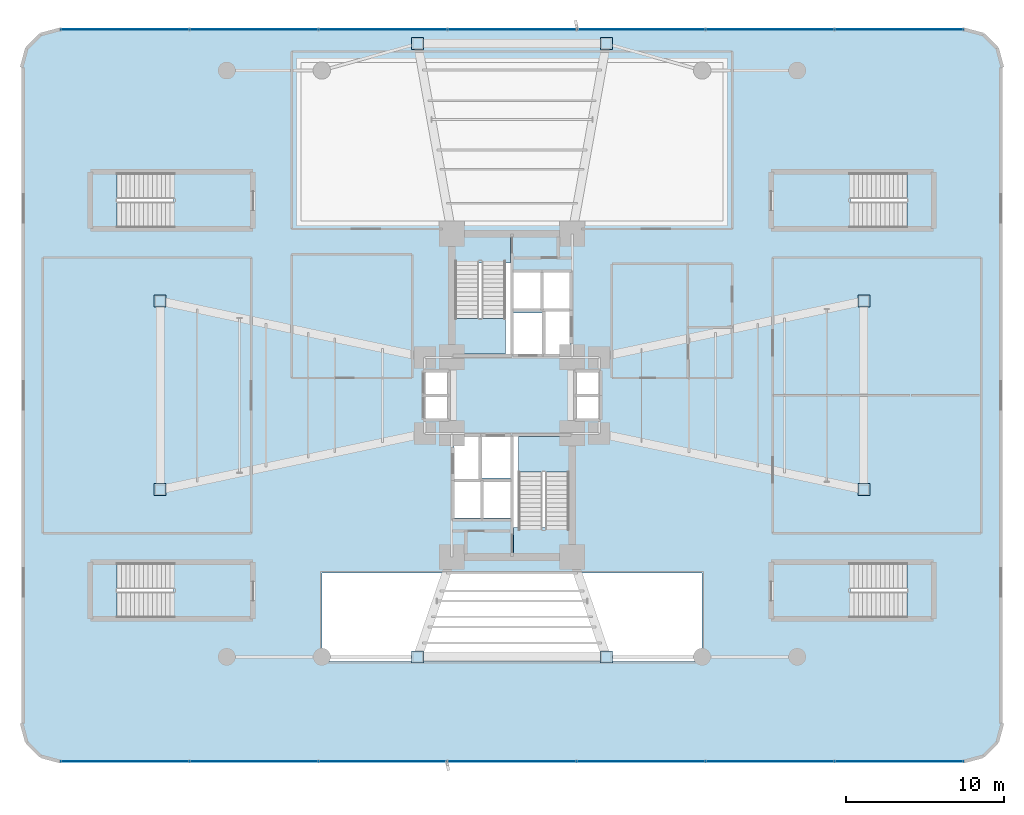
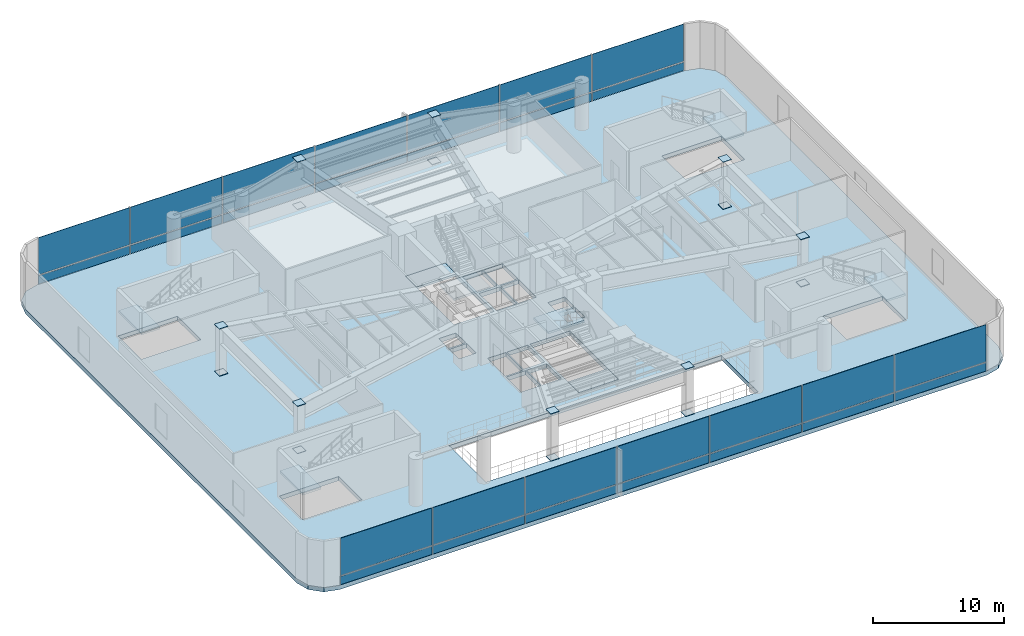
# One storey, part 12 of 22: 44 plates, 9 slabs, 8 elements without a shape of their own.
"""IFC4 building model written with IfcOpenShell, lengths in metres."""

from ifc_helpers import new_model, si_unit, direction, frame, origin, origin_2d, place, context, subcontext, project, spatial, polyline, rectangle, outline, extrude, source, transform, mapped, material, layer, layer_set, type_object, element, aggregate, save


model = new_model("IFC4")

# Units and contexts
model_context = context("Model", 3, precision=1e-05, world=origin(), true_north=direction((0.0, 1.0)))
body_context = subcontext(model_context, "Body", "Model", "MODEL_VIEW")
ifc_project = project(units=[si_unit("LENGTHUNIT", "METRE"), si_unit("AREAUNIT", "SQUARE_METRE"), si_unit("VOLUMEUNIT", "CUBIC_METRE"), si_unit("PLANEANGLEUNIT", "RADIAN"), si_unit("MASSUNIT", "GRAM", prefix="KILO")], contexts=[model_context])

# Site, building, storey
site_placement = place(None, origin())
site = spatial("IfcSite", under=ifc_project, at=site_placement, CompositionType="ELEMENT")
building_placement = place(site_placement, origin())
building = spatial("IfcBuilding", under=site, at=building_placement, Name="Sahyath Konkavel Grand Hotel", CompositionType="ELEMENT")
storey_placement = place(building_placement, frame((0.0, 0.0, 9.300048828125)))
storey = spatial("IfcBuildingStorey", under=building, at=storey_placement, Name="L02", CompositionType="ELEMENT", Elevation=9.300048828125)

# Slab
ifc_material_1 = material(Name="Concrete C50/60", Category="concrete")
ifc_layer_1 = layer(ifc_material_1, 0.39990234375)
ifc_layer_set_1 = layer_set([ifc_layer_1], Name="Concrete C50/60")
slab_type_1 = type_object("IfcSlabType", Name="SLB-400", PredefinedType="FLOOR", material=ifc_layer_set_1)
slab_1_placement = place(storey_placement, frame((0.0, 0.0, -0.400146484375)))
element("IfcSlab", 1, at=slab_1_placement, inside=storey, type_object=slab_type_1, Name="L02 Structural Floor Slab", PredefinedType="FLOOR", context=body_context, shape_type="SweptSolid", body=[
    extrude(outline(polyline([(28.541015625, -23.092041015625), (29.740966796875, -22.7705078125), (30.619384765625, -21.89208984375), (30.94091796875, -20.69189453125), (30.94091796875, 20.69189453125), (30.619384765625, 21.89208984375), (29.740966796875, 22.7705078125), (28.541015625, 23.092041015625), (-28.541015625, 23.092041015625), (-29.740966796875, 22.7705078125), (-30.619384765625, 21.89208984375), (-30.94091796875, 20.69189453125), (-30.94091796875, -20.69189453125), (-30.619384765625, -21.89208984375), (-29.740966796875, -22.7705078125), (-28.541015625, -23.092041015625), (28.541015625, -23.092041015625)]), holes=[polyline([(-3.6201171875, 2.580078125), (-0.10009765625, 2.580078125), (-0.10009765625, 10.02001953125), (-3.6201171875, 10.02001953125), (-3.6201171875, 2.580078125)]), polyline([(0.10009765625, -10.02001953125), (3.6201171875, -10.02001953125), (3.6201171875, -2.580078125), (0.10009765625, -2.580078125), (0.10009765625, -10.02001953125)]), polyline([(-26.60009765625, 10.52001953125), (-21.35009765625, 10.52001953125), (-21.35009765625, 14.10009765625), (-26.60009765625, 14.10009765625), (-26.60009765625, 10.52001953125)]), polyline([(21.35009765625, 10.52001953125), (26.60009765625, 10.52001953125), (26.60009765625, 14.10009765625), (21.35009765625, 14.10009765625), (21.35009765625, 10.52001953125)]), polyline([(-26.60009765625, -14.10009765625), (-21.35009765625, -14.10009765625), (-21.35009765625, -10.52001953125), (-26.60009765625, -10.52001953125), (-26.60009765625, -14.10009765625)]), polyline([(21.35009765625, -14.10009765625), (26.60009765625, -14.10009765625), (26.60009765625, -10.52001953125), (21.35009765625, -10.52001953125), (21.35009765625, -14.10009765625)]), polyline([(-12.0, -16.800048828125), (12.0, -16.800048828125), (12.0, -11.199951171875), (-12.0, -11.199951171875), (-12.0, -16.800048828125)]), polyline([(0.10009765625, 2.60009765625), (1.949951171875, 2.60009765625), (1.949951171875, 5.199951171875), (0.10009765625, 5.199951171875), (0.10009765625, 2.60009765625)]), polyline([(-1.949951171875, -5.199951171875), (-0.10009765625, -5.199951171875), (-0.10009765625, -2.60009765625), (-1.949951171875, -2.60009765625), (-1.949951171875, -5.199951171875)]), polyline([(2.050048828125, 2.60009765625), (3.64990234375, 2.60009765625), (3.64990234375, 5.300048828125), (2.050048828125, 5.300048828125), (2.050048828125, 2.60009765625)]), polyline([(-3.64990234375, -5.300048828125), (-2.050048828125, -5.300048828125), (-2.050048828125, -2.60009765625), (-3.64990234375, -2.60009765625), (-3.64990234375, -5.300048828125)]), polyline([(0.10009765625, 5.449951171875), (1.85009765625, 5.449951171875), (1.85009765625, 7.75), (0.10009765625, 7.75), (0.10009765625, 5.449951171875)]), polyline([(1.949951171875, 5.449951171875), (3.64990234375, 5.449951171875), (3.64990234375, 7.75), (1.949951171875, 7.75), (1.949951171875, 5.449951171875)]), polyline([(-3.64990234375, -7.75), (-1.949951171875, -7.75), (-1.949951171875, -5.449951171875), (-3.64990234375, -5.449951171875), (-3.64990234375, -7.75)]), polyline([(-1.85009765625, -7.75), (-0.10009765625, -7.75), (-0.10009765625, -5.449951171875), (-1.85009765625, -5.449951171875), (-1.85009765625, -7.75)]), polyline([(4.050048828125, 0.080078125), (5.550048828125, 0.080078125), (5.550048828125, 1.5400390625), (4.050048828125, 1.5400390625), (4.050048828125, 0.080078125)]), polyline([(4.050048828125, -1.5400390625), (5.550048828125, -1.5400390625), (5.550048828125, -0.080078125), (4.050048828125, -0.080078125), (4.050048828125, -1.5400390625)]), polyline([(-5.550048828125, 0.080078125), (-4.050048828125, 0.080078125), (-4.050048828125, 1.5400390625), (-5.550048828125, 1.5400390625), (-5.550048828125, 0.080078125)]), polyline([(-5.550048828125, -1.5400390625), (-4.050048828125, -1.5400390625), (-4.050048828125, -0.080078125), (-5.550048828125, -0.080078125), (-5.550048828125, -1.5400390625)])]), origin(), (0.0, 0.0, 1.0), 0.400146484375),
])

# Stair, slab
ifc_material_2 = material(Name="Concrete C40/50", Category="concrete")
stair_type = type_object("IfcStairType", Name="STR-ST16-480", PredefinedType="HALF_TURN_STAIR", material=ifc_material_2)
stair_1_placement = place(storey_placement, origin())
stair_1 = element("IfcStair", 2, at=stair_1_placement, inside=storey, type_object=stair_type, Name="L02 North Core Smokeproof Exit Stair ST-1", PredefinedType="HALF_TURN_STAIR")
ifc_layer_2 = layer(ifc_material_2, 0.199951171875)
ifc_layer_set_2 = layer_set([ifc_layer_2], Name="Concrete C40/50")
slab_type_2 = type_object("IfcSlabType", Name="SLB-STAIR-LND", PredefinedType="LANDING", material=ifc_layer_set_2)
slab_2_placement = place(storey_placement, frame((0.0, 0.0, 2.199951171875)))
slab_2 = element("IfcSlab", 3, at=slab_2_placement, type_object=slab_type_2, Name="ST-1 landing 1", PredefinedType="LANDING", context=body_context, shape_type="SweptSolid", body=[
    extrude(outline(polyline([(-3.60009765625, 4.840087890625), (-3.60009765625, 2.60009765625), (-0.39990234375, 2.60009765625), (-0.39990234375, 4.840087890625), (-3.60009765625, 4.840087890625)])), origin(), (0.0, 0.0, 1.0), 0.199951171875),
])
aggregate(stair_1, [slab_2])

stair_2_placement = place(storey_placement, origin())
stair_2 = element("IfcStair", 4, at=stair_2_placement, inside=storey, type_object=stair_type, Name="L02 South Core Smokeproof Exit Stair ST-2", PredefinedType="HALF_TURN_STAIR")
slab_3_placement = place(storey_placement, frame((0.0, 0.0, 2.199951171875)))
slab_3 = element("IfcSlab", 5, at=slab_3_placement, type_object=slab_type_2, Name="ST-2 landing 1", PredefinedType="LANDING", context=body_context, shape_type="SweptSolid", body=[
    extrude(outline(polyline([(3.60009765625, -4.840087890625), (3.60009765625, -2.60009765625), (0.39990234375, -2.60009765625), (0.39990234375, -4.840087890625), (3.60009765625, -4.840087890625)])), origin(), (0.0, 0.0, 1.0), 0.199951171875),
])
aggregate(stair_2, [slab_3])

# Slabs
slab_4_placement = place(storey_placement, frame((0.0, 0.0, -0.199951171875)))
element("IfcSlab", 6, at=slab_4_placement, inside=storey, type_object=slab_type_2, Name="L02 Stair ST-1 Floor Landing Slab", PredefinedType="LANDING", context=body_context, shape_type="SweptSolid", body=[
    extrude(outline(polyline([(-3.6201171875, 8.35009765625), (-0.10009765625, 8.35009765625), (-0.10009765625, 10.02001953125), (-3.6201171875, 10.02001953125), (-3.6201171875, 8.35009765625)])), origin(), (0.0, 0.0, 1.0), 0.199951171875),
])
slab_5_placement = place(storey_placement, frame((0.0, 0.0, -0.199951171875)))
element("IfcSlab", 7, at=slab_5_placement, inside=storey, type_object=slab_type_2, Name="L02 Stair ST-2 Floor Landing Slab", PredefinedType="LANDING", context=body_context, shape_type="SweptSolid", body=[
    extrude(outline(polyline([(0.10009765625, -10.02001953125), (3.6201171875, -10.02001953125), (3.6201171875, -8.35009765625), (0.10009765625, -8.35009765625), (0.10009765625, -10.02001953125)])), origin(), (0.0, 0.0, 1.0), 0.199951171875),
])

# Stair, slab
stair_3_placement = place(storey_placement, origin())
stair_3 = element("IfcStair", 8, at=stair_3_placement, inside=storey, type_object=stair_type, Name="L02 Podium Protected Exit Stair ST-P1", PredefinedType="HALF_TURN_STAIR")
slab_6_placement = place(storey_placement, frame((0.0, 0.0, 2.199951171875)))
slab_6 = element("IfcSlab", 9, at=slab_6_placement, type_object=slab_type_2, Name="ST-P1 landing 1", PredefinedType="LANDING", context=body_context, shape_type="SweptSolid", body=[
    extrude(outline(polyline([(-24.929931640625, 14.0400390625), (-26.580078125, 14.0400390625), (-26.580078125, 10.580078125), (-24.929931640625, 10.580078125), (-24.929931640625, 14.0400390625)])), origin(), (0.0, 0.0, 1.0), 0.199951171875),
])
aggregate(stair_3, [slab_6])

stair_4_placement = place(storey_placement, origin())
stair_4 = element("IfcStair", 10, at=stair_4_placement, inside=storey, type_object=stair_type, Name="L02 Podium Protected Exit Stair ST-P2", PredefinedType="HALF_TURN_STAIR")
slab_7_placement = place(storey_placement, frame((0.0, 0.0, 2.199951171875)))
slab_7 = element("IfcSlab", 11, at=slab_7_placement, type_object=slab_type_2, Name="ST-P2 landing 1", PredefinedType="LANDING", context=body_context, shape_type="SweptSolid", body=[
    extrude(outline(polyline([(24.929931640625, 10.580078125), (26.580078125, 10.580078125), (26.580078125, 14.0400390625), (24.929931640625, 14.0400390625), (24.929931640625, 10.580078125)])), origin(), (0.0, 0.0, 1.0), 0.199951171875),
])
aggregate(stair_4, [slab_7])

stair_5_placement = place(storey_placement, origin())
stair_5 = element("IfcStair", 12, at=stair_5_placement, inside=storey, type_object=stair_type, Name="L02 Podium Protected Exit Stair ST-P3", PredefinedType="HALF_TURN_STAIR")
slab_8_placement = place(storey_placement, frame((0.0, 0.0, 2.199951171875)))
slab_8 = element("IfcSlab", 13, at=slab_8_placement, type_object=slab_type_2, Name="ST-P3 landing 1", PredefinedType="LANDING", context=body_context, shape_type="SweptSolid", body=[
    extrude(outline(polyline([(-24.929931640625, -10.580078125), (-26.580078125, -10.580078125), (-26.580078125, -14.0400390625), (-24.929931640625, -14.0400390625), (-24.929931640625, -10.580078125)])), origin(), (0.0, 0.0, 1.0), 0.199951171875),
])
aggregate(stair_5, [slab_8])

stair_6_placement = place(storey_placement, origin())
stair_6 = element("IfcStair", 14, at=stair_6_placement, inside=storey, type_object=stair_type, Name="L02 Podium Protected Exit Stair ST-P4", PredefinedType="HALF_TURN_STAIR")
slab_9_placement = place(storey_placement, frame((0.0, 0.0, 2.199951171875)))
slab_9 = element("IfcSlab", 15, at=slab_9_placement, type_object=slab_type_2, Name="ST-P4 landing 1", PredefinedType="LANDING", context=body_context, shape_type="SweptSolid", body=[
    extrude(outline(polyline([(24.929931640625, -14.0400390625), (26.580078125, -14.0400390625), (26.580078125, -10.580078125), (24.929931640625, -10.580078125), (24.929931640625, -14.0400390625)])), origin(), (0.0, 0.0, 1.0), 0.199951171875),
])
aggregate(stair_6, [slab_9])

# Plates
ifc_material_3 = material(Name="Steel E450", Category="steel")
plate_type_1 = type_object("IfcPlateType", Name="GUSSET-NODE-40", PredefinedType="USERDEFINED", material=ifc_material_3)
shared_shape_1 = source(origin(), body_context, "Body", "SweptSolid", [
    extrude(rectangle(XDim=0.760009765625, YDim=0.760009765625, at=origin_2d()), origin(), (0.0, 0.0, 1.0), 0.044921875),
])
for number, where, z_axis, x_axis, name in (
    (16, (22.199951171875, -5.949951171875, -0.0224609375), (0.0, 0.0, 1.0), (1.0, 0.0, 0.0), "L02 Mega-Column MC-EA Base Cap Plate"),
    (17, (22.199951171875, -5.949951171875, 4.37744140625), (0.0, 0.0, 1.0), (1.0, 0.0, 0.0), "L02 Mega-Column MC-EA Head Cap Plate"),
    (18, (22.199951171875, 5.949951171875, -0.0224609375), (0.0, 0.0, 1.0), (1.0, 0.0, 0.0), "L02 Mega-Column MC-EB Base Cap Plate"),
    (19, (22.199951171875, 5.949951171875, 4.37744140625), (0.0, 0.0, 1.0), (1.0, 0.0, 0.0), "L02 Mega-Column MC-EB Head Cap Plate"),
    (20, (5.949951171875, 22.199951171875, -0.0224609375), (0.0, 0.0, 1.0), (1.0, 0.0, 0.0), "L02 Mega-Column MC-NA Base Cap Plate"),
    (21, (5.949951171875, 22.199951171875, 4.37744140625), (0.0, 0.0, 1.0), (1.0, 0.0, 0.0), "L02 Mega-Column MC-NA Head Cap Plate"),
    (22, (-5.949951171875, 22.199951171875, -0.0224609375), (0.0, 0.0, 1.0), (1.0, 0.0, 0.0), "L02 Mega-Column MC-NB Base Cap Plate"),
    (23, (-5.949951171875, 22.199951171875, 4.37744140625), (0.0, 0.0, 1.0), (1.0, 0.0, 0.0), "L02 Mega-Column MC-NB Head Cap Plate"),
    (24, (-22.199951171875, 5.949951171875, -0.0224609375), (0.0, 0.0, 1.0), (1.0, 0.0, 0.0), "L02 Mega-Column MC-WA Base Cap Plate"),
    (25, (-22.199951171875, 5.949951171875, 4.37744140625), (0.0, 0.0, 1.0), (1.0, 0.0, 0.0), "L02 Mega-Column MC-WA Head Cap Plate"),
    (26, (-22.199951171875, -5.949951171875, -0.0224609375), (0.0, 0.0, 1.0), (1.0, 0.0, 0.0), "L02 Mega-Column MC-WB Base Cap Plate"),
    (27, (-22.199951171875, -5.949951171875, 4.37744140625), (0.0, 0.0, 1.0), (1.0, 0.0, 0.0), "L02 Mega-Column MC-WB Head Cap Plate"),
    (28, (-5.949951171875, -16.5, -0.0224609375), (0.0, 0.0, 1.0), (1.0, 0.0, 0.0), "L02 Mega-Column MC-SA Base Cap Plate"),
    (29, (-5.949951171875, -16.5, 4.37744140625), (0.0, 0.0, 1.0), (1.0, 0.0, 0.0), "L02 Mega-Column MC-SA Head Cap Plate"),
    (30, (5.949951171875, -16.5, -0.0224609375), (0.0, 0.0, 1.0), (1.0, 0.0, 0.0), "L02 Mega-Column MC-SB Base Cap Plate"),
    (31, (5.949951171875, -16.5, 4.37744140625), (0.0, 0.0, 1.0), (1.0, 0.0, 0.0), "L02 Mega-Column MC-SB Head Cap Plate"),
):
    element("IfcPlate", number, at=place(storey_placement, frame(where, z_axis=z_axis, x_axis=x_axis)), inside=storey, type_object=plate_type_1, Name=name, ObjectType="GUSSET_PLATE", PredefinedType="USERDEFINED", context=body_context, shape_type="MappedRepresentation", body=[
        mapped(shared_shape_1, transform((0.0, 0.0, 0.0), scale=1.0)),
    ])

# Curtain wall, plates
ifc_material_4 = material(Name="Anodised Bronze Aluminium & Low-E Glazing", Category="aluminium")
curtain_wall_type = type_object("IfcCurtainWallType", Name="CW-PODIUM", PredefinedType="NOTDEFINED", material=ifc_material_4)
curtain_wall_1_placement = place(storey_placement, origin())
curtain_wall_1 = element("IfcCurtainWall", 32, at=curtain_wall_1_placement, inside=storey, type_object=curtain_wall_type, Name="L02 Unitised Curtain Wall N", PredefinedType="NOTDEFINED")
ifc_material_5 = material(Name="Warm Buff Sandstone Cladding", Category="masonry")
ifc_layer_3 = layer(ifc_material_5, 0.074951171875)
ifc_layer_set_3 = layer_set([ifc_layer_3], Name="Warm Buff Sandstone Cladding")
plate_type_2 = type_object("IfcPlateType", Name="PNL-SPANDREL-STONE", PredefinedType="SHEET", material=ifc_layer_set_3)
shared_shape_2 = source(origin(), body_context, "Body", "SweptSolid", [
    extrude(rectangle(XDim=8.06298828125, YDim=0.074951171875, at=origin_2d()), origin(), (0.0, 0.0, 1.0), 0.77001953125),
])
plate_1_placement = place(storey_placement, frame((24.429443359375, 23.092041015625, 0.0400390625), z_axis=(0.0, 0.0, 1.0), x_axis=(-1.0, 0.0, 0.0)))
plate_1 = element("IfcPlate", 33, at=plate_1_placement, type_object=plate_type_2, Name="L02 Sandstone Relief Spandrel Panel N-0", PredefinedType="SHEET", context=body_context, shape_type="MappedRepresentation", body=[
    mapped(shared_shape_2, transform((0.0, 0.0, 0.0), scale=1.0)),
])
plate_2_placement = place(storey_placement, frame((16.286376953125, 23.092041015625, 0.0400390625), z_axis=(0.0, 0.0, 1.0), x_axis=(-1.0, 0.0, 0.0)))
plate_2 = element("IfcPlate", 34, at=plate_2_placement, type_object=plate_type_2, Name="L02 Sandstone Relief Spandrel Panel N-1", PredefinedType="SHEET", context=body_context, shape_type="MappedRepresentation", body=[
    mapped(shared_shape_2, transform((0.0, 0.0, 0.0), scale=1.0)),
])
plate_3_placement = place(storey_placement, frame((8.143310546875, 23.092041015625, 0.0400390625), z_axis=(0.0, 0.0, 1.0), x_axis=(-1.0, 0.0, 0.0)))
plate_3 = element("IfcPlate", 35, at=plate_3_placement, type_object=plate_type_2, Name="L02 Sandstone Relief Spandrel Panel N-2", PredefinedType="SHEET", context=body_context, shape_type="MappedRepresentation", body=[
    mapped(shared_shape_2, transform((0.0, 0.0, 0.0), scale=1.0)),
])
plate_4_placement = place(storey_placement, frame((0.0, 23.092041015625, 0.0400390625), z_axis=(0.0, 0.0, 1.0), x_axis=(-1.0, 0.0, 0.0)))
plate_4 = element("IfcPlate", 36, at=plate_4_placement, type_object=plate_type_2, Name="L02 Sandstone Relief Spandrel Panel N-3", PredefinedType="SHEET", context=body_context, shape_type="MappedRepresentation", body=[
    mapped(shared_shape_2, transform((0.0, 0.0, 0.0), scale=1.0)),
])
plate_5_placement = place(storey_placement, frame((-8.143310546875, 23.092041015625, 0.0400390625), z_axis=(0.0, 0.0, 1.0), x_axis=(-1.0, 0.0, 0.0)))
plate_5 = element("IfcPlate", 37, at=plate_5_placement, type_object=plate_type_2, Name="L02 Sandstone Relief Spandrel Panel N-4", PredefinedType="SHEET", context=body_context, shape_type="MappedRepresentation", body=[
    mapped(shared_shape_2, transform((0.0, 0.0, 0.0), scale=1.0)),
])
plate_6_placement = place(storey_placement, frame((-16.286376953125, 23.092041015625, 0.0400390625), z_axis=(0.0, 0.0, 1.0), x_axis=(-1.0, 0.0, 0.0)))
plate_6 = element("IfcPlate", 38, at=plate_6_placement, type_object=plate_type_2, Name="L02 Sandstone Relief Spandrel Panel N-5", PredefinedType="SHEET", context=body_context, shape_type="MappedRepresentation", body=[
    mapped(shared_shape_2, transform((0.0, 0.0, 0.0), scale=1.0)),
])
plate_7_placement = place(storey_placement, frame((-24.429443359375, 23.092041015625, 0.0400390625), z_axis=(0.0, 0.0, 1.0), x_axis=(-1.0, 0.0, 0.0)))
plate_7 = element("IfcPlate", 39, at=plate_7_placement, type_object=plate_type_2, Name="L02 Sandstone Relief Spandrel Panel N-6", PredefinedType="SHEET", context=body_context, shape_type="MappedRepresentation", body=[
    mapped(shared_shape_2, transform((0.0, 0.0, 0.0), scale=1.0)),
])

curtain_wall_2_placement = place(storey_placement, origin())
curtain_wall_2 = element("IfcCurtainWall", 40, at=curtain_wall_2_placement, inside=storey, type_object=curtain_wall_type, Name="L02 Unitised Curtain Wall S", PredefinedType="NOTDEFINED")
plate_8_placement = place(storey_placement, frame((-24.429443359375, -23.092041015625, 0.0400390625), z_axis=(0.0, 0.0, 1.0), x_axis=(1.0, 0.0, 0.0)))
plate_8 = element("IfcPlate", 41, at=plate_8_placement, type_object=plate_type_2, Name="L02 Sandstone Relief Spandrel Panel S-0", PredefinedType="SHEET", context=body_context, shape_type="MappedRepresentation", body=[
    mapped(shared_shape_2, transform((0.0, 0.0, 0.0), scale=1.0)),
])
plate_9_placement = place(storey_placement, frame((-16.286376953125, -23.092041015625, 0.0400390625), z_axis=(0.0, 0.0, 1.0), x_axis=(1.0, 0.0, 0.0)))
plate_9 = element("IfcPlate", 42, at=plate_9_placement, type_object=plate_type_2, Name="L02 Sandstone Relief Spandrel Panel S-1", PredefinedType="SHEET", context=body_context, shape_type="MappedRepresentation", body=[
    mapped(shared_shape_2, transform((0.0, 0.0, 0.0), scale=1.0)),
])
plate_10_placement = place(storey_placement, frame((-8.143310546875, -23.092041015625, 0.0400390625), z_axis=(0.0, 0.0, 1.0), x_axis=(1.0, 0.0, 0.0)))
plate_10 = element("IfcPlate", 43, at=plate_10_placement, type_object=plate_type_2, Name="L02 Sandstone Relief Spandrel Panel S-2", PredefinedType="SHEET", context=body_context, shape_type="MappedRepresentation", body=[
    mapped(shared_shape_2, transform((0.0, 0.0, 0.0), scale=1.0)),
])
plate_11_placement = place(storey_placement, frame((0.0, -23.092041015625, 0.0400390625), z_axis=(0.0, 0.0, 1.0), x_axis=(1.0, 0.0, 0.0)))
plate_11 = element("IfcPlate", 44, at=plate_11_placement, type_object=plate_type_2, Name="L02 Sandstone Relief Spandrel Panel S-3", PredefinedType="SHEET", context=body_context, shape_type="MappedRepresentation", body=[
    mapped(shared_shape_2, transform((0.0, 0.0, 0.0), scale=1.0)),
])
plate_12_placement = place(storey_placement, frame((8.143310546875, -23.092041015625, 0.0400390625), z_axis=(0.0, 0.0, 1.0), x_axis=(1.0, 0.0, 0.0)))
plate_12 = element("IfcPlate", 45, at=plate_12_placement, type_object=plate_type_2, Name="L02 Sandstone Relief Spandrel Panel S-4", PredefinedType="SHEET", context=body_context, shape_type="MappedRepresentation", body=[
    mapped(shared_shape_2, transform((0.0, 0.0, 0.0), scale=1.0)),
])
plate_13_placement = place(storey_placement, frame((16.286376953125, -23.092041015625, 0.0400390625), z_axis=(0.0, 0.0, 1.0), x_axis=(1.0, 0.0, 0.0)))
plate_13 = element("IfcPlate", 46, at=plate_13_placement, type_object=plate_type_2, Name="L02 Sandstone Relief Spandrel Panel S-5", PredefinedType="SHEET", context=body_context, shape_type="MappedRepresentation", body=[
    mapped(shared_shape_2, transform((0.0, 0.0, 0.0), scale=1.0)),
])
plate_14_placement = place(storey_placement, frame((24.429443359375, -23.092041015625, 0.0400390625), z_axis=(0.0, 0.0, 1.0), x_axis=(1.0, 0.0, 0.0)))
plate_14 = element("IfcPlate", 47, at=plate_14_placement, type_object=plate_type_2, Name="L02 Sandstone Relief Spandrel Panel S-6", PredefinedType="SHEET", context=body_context, shape_type="MappedRepresentation", body=[
    mapped(shared_shape_2, transform((0.0, 0.0, 0.0), scale=1.0)),
])

# Plate
ifc_material_6 = material(Name="Low-E Solar Control Double Glazing", Category="glass")
ifc_layer_4 = layer(ifc_material_6, 0.035888671875)
ifc_layer_set_4 = layer_set([ifc_layer_4], Name="Low-E Solar Control Double Glazing")
plate_type_3 = type_object("IfcPlateType", Name="PNL-VISION-LOWE", PredefinedType="CURTAIN_PANEL", material=ifc_layer_set_4)
shared_shape_3 = source(origin(), body_context, "Body", "SweptSolid", [
    extrude(rectangle(XDim=8.06298828125, YDim=0.035888671875, at=origin_2d()), origin(), (0.0, 0.0, 1.0), 3.469970703125),
])
plate_15_placement = place(storey_placement, frame((24.429443359375, 23.092041015625, 0.89013671875), z_axis=(0.0, 0.0, 1.0), x_axis=(-1.0, 0.0, 0.0)))
plate_15 = element("IfcPlate", 48, at=plate_15_placement, type_object=plate_type_3, Name="L02 Low-E Vision Glazing Panel N-0", PredefinedType="CURTAIN_PANEL", context=body_context, shape_type="MappedRepresentation", body=[
    mapped(shared_shape_3, transform((0.0, 0.0, 0.0), scale=1.0)),
])

plate_16_placement = place(storey_placement, frame((16.286376953125, 23.092041015625, 0.89013671875), z_axis=(0.0, 0.0, 1.0), x_axis=(-1.0, 0.0, 0.0)))
plate_16 = element("IfcPlate", 49, at=plate_16_placement, type_object=plate_type_3, Name="L02 Low-E Vision Glazing Panel N-1", PredefinedType="CURTAIN_PANEL", context=body_context, shape_type="MappedRepresentation", body=[
    mapped(shared_shape_3, transform((0.0, 0.0, 0.0), scale=1.0)),
])

plate_17_placement = place(storey_placement, frame((8.143310546875, 23.092041015625, 0.89013671875), z_axis=(0.0, 0.0, 1.0), x_axis=(-1.0, 0.0, 0.0)))
plate_17 = element("IfcPlate", 50, at=plate_17_placement, type_object=plate_type_3, Name="L02 Low-E Vision Glazing Panel N-2", PredefinedType="CURTAIN_PANEL", context=body_context, shape_type="MappedRepresentation", body=[
    mapped(shared_shape_3, transform((0.0, 0.0, 0.0), scale=1.0)),
])

plate_18_placement = place(storey_placement, frame((0.0, 23.092041015625, 0.89013671875), z_axis=(0.0, 0.0, 1.0), x_axis=(-1.0, 0.0, 0.0)))
plate_18 = element("IfcPlate", 51, at=plate_18_placement, type_object=plate_type_3, Name="L02 Low-E Vision Glazing Panel N-3", PredefinedType="CURTAIN_PANEL", context=body_context, shape_type="MappedRepresentation", body=[
    mapped(shared_shape_3, transform((0.0, 0.0, 0.0), scale=1.0)),
])

plate_19_placement = place(storey_placement, frame((-8.143310546875, 23.092041015625, 0.89013671875), z_axis=(0.0, 0.0, 1.0), x_axis=(-1.0, 0.0, 0.0)))
plate_19 = element("IfcPlate", 52, at=plate_19_placement, type_object=plate_type_3, Name="L02 Low-E Vision Glazing Panel N-4", PredefinedType="CURTAIN_PANEL", context=body_context, shape_type="MappedRepresentation", body=[
    mapped(shared_shape_3, transform((0.0, 0.0, 0.0), scale=1.0)),
])

plate_20_placement = place(storey_placement, frame((-16.286376953125, 23.092041015625, 0.89013671875), z_axis=(0.0, 0.0, 1.0), x_axis=(-1.0, 0.0, 0.0)))
plate_20 = element("IfcPlate", 53, at=plate_20_placement, type_object=plate_type_3, Name="L02 Low-E Vision Glazing Panel N-5", PredefinedType="CURTAIN_PANEL", context=body_context, shape_type="MappedRepresentation", body=[
    mapped(shared_shape_3, transform((0.0, 0.0, 0.0), scale=1.0)),
])

plate_21_placement = place(storey_placement, frame((-24.429443359375, 23.092041015625, 0.89013671875), z_axis=(0.0, 0.0, 1.0), x_axis=(-1.0, 0.0, 0.0)))
plate_21 = element("IfcPlate", 54, at=plate_21_placement, type_object=plate_type_3, Name="L02 Low-E Vision Glazing Panel N-6", PredefinedType="CURTAIN_PANEL", context=body_context, shape_type="MappedRepresentation", body=[
    mapped(shared_shape_3, transform((0.0, 0.0, 0.0), scale=1.0)),
])

aggregate(curtain_wall_1, [plate_1, plate_15, plate_2, plate_16, plate_3, plate_17, plate_4, plate_18, plate_5, plate_19, plate_6, plate_20, plate_7, plate_21])

plate_22_placement = place(storey_placement, frame((-24.429443359375, -23.092041015625, 0.89013671875), z_axis=(0.0, 0.0, 1.0), x_axis=(1.0, 0.0, 0.0)))
plate_22 = element("IfcPlate", 55, at=plate_22_placement, type_object=plate_type_3, Name="L02 Low-E Vision Glazing Panel S-0", PredefinedType="CURTAIN_PANEL", context=body_context, shape_type="MappedRepresentation", body=[
    mapped(shared_shape_3, transform((0.0, 0.0, 0.0), scale=1.0)),
])

plate_23_placement = place(storey_placement, frame((-16.286376953125, -23.092041015625, 0.89013671875), z_axis=(0.0, 0.0, 1.0), x_axis=(1.0, 0.0, 0.0)))
plate_23 = element("IfcPlate", 56, at=plate_23_placement, type_object=plate_type_3, Name="L02 Low-E Vision Glazing Panel S-1", PredefinedType="CURTAIN_PANEL", context=body_context, shape_type="MappedRepresentation", body=[
    mapped(shared_shape_3, transform((0.0, 0.0, 0.0), scale=1.0)),
])

plate_24_placement = place(storey_placement, frame((-8.143310546875, -23.092041015625, 0.89013671875), z_axis=(0.0, 0.0, 1.0), x_axis=(1.0, 0.0, 0.0)))
plate_24 = element("IfcPlate", 57, at=plate_24_placement, type_object=plate_type_3, Name="L02 Low-E Vision Glazing Panel S-2", PredefinedType="CURTAIN_PANEL", context=body_context, shape_type="MappedRepresentation", body=[
    mapped(shared_shape_3, transform((0.0, 0.0, 0.0), scale=1.0)),
])

plate_25_placement = place(storey_placement, frame((0.0, -23.092041015625, 0.89013671875), z_axis=(0.0, 0.0, 1.0), x_axis=(1.0, 0.0, 0.0)))
plate_25 = element("IfcPlate", 58, at=plate_25_placement, type_object=plate_type_3, Name="L02 Low-E Vision Glazing Panel S-3", PredefinedType="CURTAIN_PANEL", context=body_context, shape_type="MappedRepresentation", body=[
    mapped(shared_shape_3, transform((0.0, 0.0, 0.0), scale=1.0)),
])

plate_26_placement = place(storey_placement, frame((8.143310546875, -23.092041015625, 0.89013671875), z_axis=(0.0, 0.0, 1.0), x_axis=(1.0, 0.0, 0.0)))
plate_26 = element("IfcPlate", 59, at=plate_26_placement, type_object=plate_type_3, Name="L02 Low-E Vision Glazing Panel S-4", PredefinedType="CURTAIN_PANEL", context=body_context, shape_type="MappedRepresentation", body=[
    mapped(shared_shape_3, transform((0.0, 0.0, 0.0), scale=1.0)),
])

plate_27_placement = place(storey_placement, frame((16.286376953125, -23.092041015625, 0.89013671875), z_axis=(0.0, 0.0, 1.0), x_axis=(1.0, 0.0, 0.0)))
plate_27 = element("IfcPlate", 60, at=plate_27_placement, type_object=plate_type_3, Name="L02 Low-E Vision Glazing Panel S-5", PredefinedType="CURTAIN_PANEL", context=body_context, shape_type="MappedRepresentation", body=[
    mapped(shared_shape_3, transform((0.0, 0.0, 0.0), scale=1.0)),
])

plate_28_placement = place(storey_placement, frame((24.429443359375, -23.092041015625, 0.89013671875), z_axis=(0.0, 0.0, 1.0), x_axis=(1.0, 0.0, 0.0)))
plate_28 = element("IfcPlate", 61, at=plate_28_placement, type_object=plate_type_3, Name="L02 Low-E Vision Glazing Panel S-6", PredefinedType="CURTAIN_PANEL", context=body_context, shape_type="MappedRepresentation", body=[
    mapped(shared_shape_3, transform((0.0, 0.0, 0.0), scale=1.0)),
])

aggregate(curtain_wall_2, [plate_8, plate_22, plate_9, plate_23, plate_10, plate_24, plate_11, plate_25, plate_12, plate_26, plate_13, plate_27, plate_14, plate_28])

save(model, "model.ifc")
